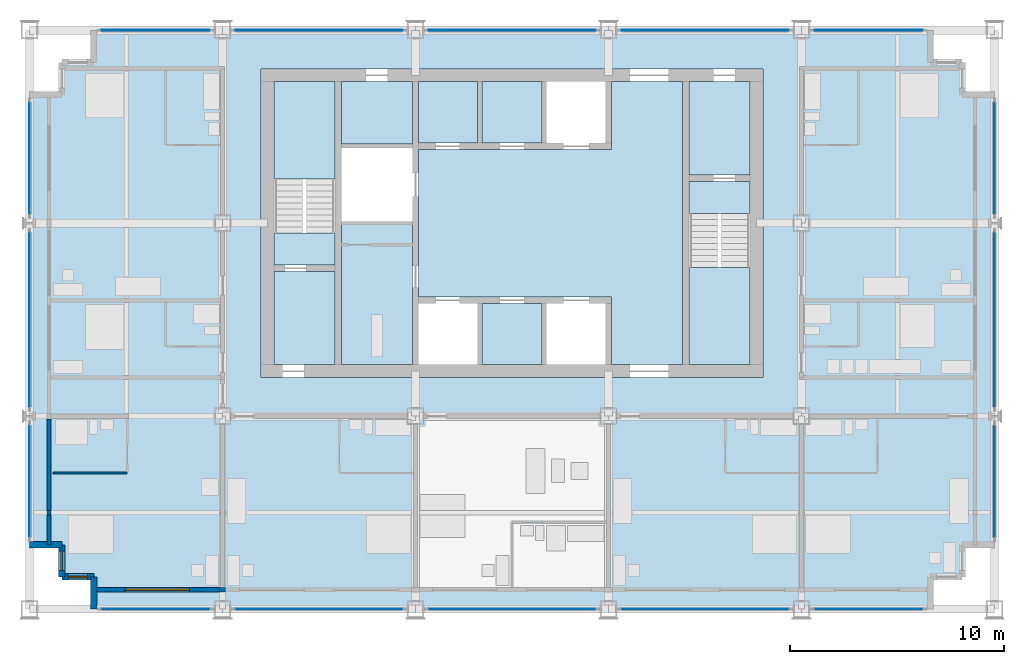
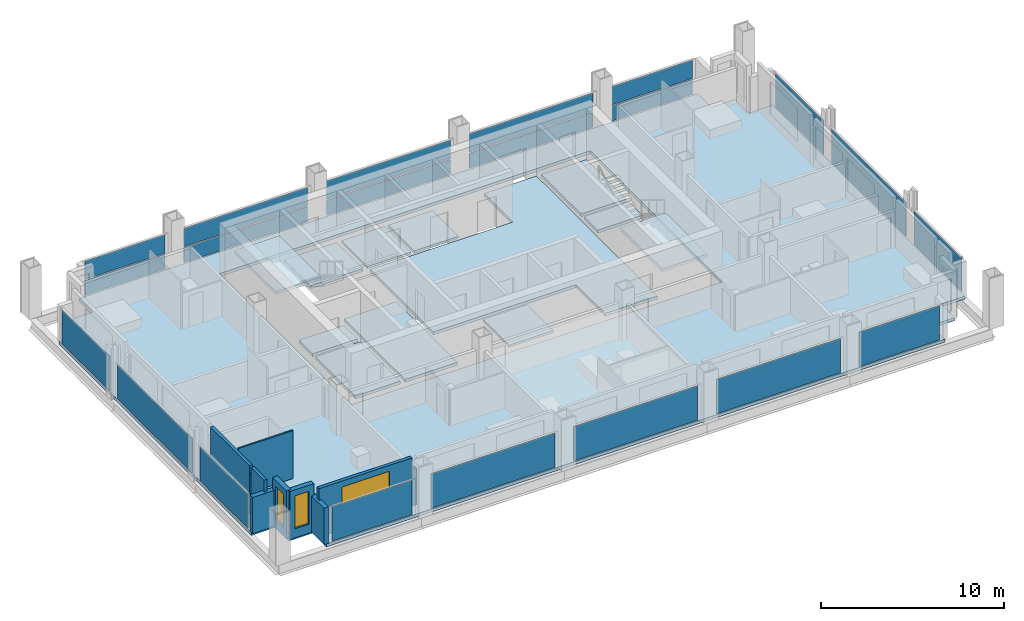
# One storey, part 6 of 13: 21 plates, 13 slabs, 10 walls, 3 windows, 3 openings, 18 elements without a shape of their own.
"""IFC4 building model written with IfcOpenShell, lengths in metres."""

from ifc_helpers import new_model, si_unit, direction, frame, frame_2d, origin, origin_2d, place, context, subcontext, project, spatial, polyline, rectangle, outline, extrude, material, layer, layer_set, type_object, element, fill, aggregate, save


model = new_model("IFC4")

# Units and contexts
model_context = context("Model", 3, precision=1e-05, world=origin(), true_north=direction((0.0, 1.0)))
body_context = subcontext(model_context, "Body", "Model", "MODEL_VIEW")
ifc_project = project(units=[si_unit("LENGTHUNIT", "METRE"), si_unit("AREAUNIT", "SQUARE_METRE"), si_unit("VOLUMEUNIT", "CUBIC_METRE"), si_unit("PLANEANGLEUNIT", "RADIAN"), si_unit("MASSUNIT", "GRAM", prefix="KILO")], contexts=[model_context])

# Site, building, storey
site_placement = place(None, origin())
site = spatial("IfcSite", under=ifc_project, at=site_placement, CompositionType="ELEMENT")
building_placement = place(site_placement, origin())
building = spatial("IfcBuilding", under=site, at=building_placement, Name="Loomwork Tower", CompositionType="ELEMENT")
storey_placement = place(building_placement, frame((0.0, 0.0, 180.800048828125)))
storey = spatial("IfcBuildingStorey", under=building, at=storey_placement, Name="L49", CompositionType="ELEMENT", Elevation=180.800048828125)

# Slabs
ifc_material_1 = material(Name="Concrete 5000 psi (34 MPa) on composite metal deck", Category="concrete")
ifc_layer_1 = layer(ifc_material_1, 0.199951171875)
ifc_layer_set_1 = layer_set([ifc_layer_1], Name="Floor slab 200")
slab_type_1 = type_object("IfcSlabType", Name="Floor slab 200", PredefinedType="FLOOR", material=ifc_layer_set_1)
slab_1_placement = place(storey_placement, frame((0.0, 0.0, -0.199951171875)))
element("IfcSlab", 1, at=slab_1_placement, inside=storey, type_object=slab_type_1, Name="Floor slab L49", PredefinedType="FLOOR", context=body_context, shape_type="SweptSolid", body=[
    extrude(outline(polyline([(3.0, 1.5), (1.5, 1.5), (1.5, 3.0), (0.0, 3.0), (0.0, 24.0), (1.5, 24.0), (1.5, 25.5), (3.0, 25.5), (3.0, 27.0), (42.0, 27.0), (42.0, 25.5), (43.5, 25.5), (43.5, 24.0), (45.0, 24.0), (45.0, 3.0), (43.5, 3.0), (43.5, 1.5), (42.0, 1.5), (42.0, 0.0), (3.0, 0.0), (3.0, 1.5)]), holes=[polyline([(10.800048828125, 11.39990234375), (10.800048828125, 11.39990234375), (10.800048828125, 10.800048828125), (34.199951171875, 10.800048828125), (34.199951171875, 11.39990234375), (34.199951171875, 11.39990234375), (34.199951171875, 24.60009765625), (34.199951171875, 25.199951171875), (10.800048828125, 25.199951171875), (10.800048828125, 24.60009765625), (10.800048828125, 11.39990234375)])]), origin(), (0.0, 0.0, 1.0), 0.199951171875),
])
slab_2_placement = place(storey_placement, frame((0.0, 0.0, -0.199951171875)))
element("IfcSlab", 2, at=slab_2_placement, inside=storey, type_object=slab_type_1, Name="Floor slab L49", PredefinedType="FLOOR", context=body_context, shape_type="SweptSolid", body=[
    extrude(outline(polyline([(30.449951171875, 24.60009765625), (30.449951171875, 11.39990234375), (27.14990234375, 11.39990234375), (27.14990234375, 14.25), (27.14990234375, 14.550048828125), (18.14990234375, 14.550048828125), (18.14990234375, 21.449951171875), (27.14990234375, 21.449951171875), (27.14990234375, 21.75), (27.14990234375, 24.60009765625), (30.449951171875, 24.60009765625)])), origin(), (0.0, 0.0, 1.0), 0.199951171875),
])
slab_3_placement = place(storey_placement, frame((0.0, 0.0, -0.199951171875)))
element("IfcSlab", 3, at=slab_3_placement, inside=storey, type_object=slab_type_1, Name="Floor slab L49", PredefinedType="FLOOR", context=body_context, shape_type="SweptSolid", body=[
    extrude(outline(polyline([(14.550048828125, 11.39990234375), (14.550048828125, 18.074951171875), (17.85009765625, 18.074951171875), (17.85009765625, 11.39990234375), (14.550048828125, 11.39990234375)])), origin(), (0.0, 0.0, 1.0), 0.199951171875),
])
slab_4_placement = place(storey_placement, frame((0.0, 0.0, -0.199951171875)))
element("IfcSlab", 4, at=slab_4_placement, inside=storey, type_object=slab_type_1, Name="Floor slab L49", PredefinedType="FLOOR", context=body_context, shape_type="SweptSolid", body=[
    extrude(outline(polyline([(33.60009765625, 20.25), (30.75, 20.25), (30.75, 24.60009765625), (33.60009765625, 24.60009765625), (33.60009765625, 20.25)])), origin(), (0.0, 0.0, 1.0), 0.199951171875),
])
slab_5_placement = place(storey_placement, frame((0.0, 0.0, -0.199951171875)))
element("IfcSlab", 5, at=slab_5_placement, inside=storey, type_object=slab_type_1, Name="Floor slab L49", PredefinedType="FLOOR", context=body_context, shape_type="SweptSolid", body=[
    extrude(outline(polyline([(14.25, 15.75), (14.25, 11.39990234375), (11.39990234375, 11.39990234375), (11.39990234375, 15.75), (14.25, 15.75)])), origin(), (0.0, 0.0, 1.0), 0.199951171875),
])
slab_6_placement = place(storey_placement, frame((0.0, 0.0, -0.199951171875)))
element("IfcSlab", 6, at=slab_6_placement, inside=storey, type_object=slab_type_1, Name="Floor slab L49", PredefinedType="FLOOR", context=body_context, shape_type="SweptSolid", body=[
    extrude(outline(polyline([(14.550048828125, 21.699951171875), (14.550048828125, 24.60009765625), (17.85009765625, 24.60009765625), (17.85009765625, 21.699951171875), (14.550048828125, 21.699951171875)])), origin(), (0.0, 0.0, 1.0), 0.199951171875),
])

# Curtain wall, plate
ifc_material_2 = material(Name="Aluminium curtain wall frame", Category="aluminium")
curtain_wall_type_1 = type_object("IfcCurtainWallType", Name="Outer skin glazing hotel", PredefinedType="NOTDEFINED", material=ifc_material_2)
curtain_wall_1_placement = place(storey_placement, origin())
curtain_wall_1 = element("IfcCurtainWall", 7, at=curtain_wall_1_placement, inside=storey, type_object=curtain_wall_type_1, Name="Outer skin glazing hotel cw/S-0", PredefinedType="NOTDEFINED")
ifc_material_3 = material(Name="Clear laminated glass", Category="glass")
ifc_layer_2 = layer(ifc_material_3, 0.02392578125)
ifc_layer_set_2 = layer_set([ifc_layer_2], Name="Outer skin glazing hotel panel")
plate_type_1 = type_object("IfcPlateType", Name="Outer skin glazing hotel panel", PredefinedType="CURTAIN_PANEL", material=ifc_layer_set_2)
plate_1_placement = place(storey_placement, frame((5.875, 0.0, 0.06494140625), z_axis=(0.0, 0.0, 1.0), x_axis=(1.0, 0.0, 0.0)))
plate_1 = element("IfcPlate", 8, at=plate_1_placement, type_object=plate_type_1, Name="CW1 panel 1.1", PredefinedType="CURTAIN_PANEL", context=body_context, shape_type="SweptSolid", body=[
    extrude(rectangle(XDim=5.050048828125, YDim=0.02392578125, at=origin_2d()), origin(), (0.0, 0.0, 1.0), 2.290283203125),
])
aggregate(curtain_wall_1, [plate_1])

curtain_wall_2_placement = place(storey_placement, origin())
curtain_wall_2 = element("IfcCurtainWall", 9, at=curtain_wall_2_placement, inside=storey, type_object=curtain_wall_type_1, Name="Outer skin glazing hotel cw/S-9", PredefinedType="NOTDEFINED")
plate_2_placement = place(storey_placement, frame((13.5, 0.0, 0.06494140625), z_axis=(0.0, 0.0, 1.0), x_axis=(1.0, 0.0, 0.0)))
plate_2 = element("IfcPlate", 10, at=plate_2_placement, type_object=plate_type_1, Name="CW1 panel 1.1", PredefinedType="CURTAIN_PANEL", context=body_context, shape_type="SweptSolid", body=[
    extrude(rectangle(XDim=7.800048828125, YDim=0.02392578125, at=origin_2d()), origin(), (0.0, 0.0, 1.0), 2.290283203125),
])
aggregate(curtain_wall_2, [plate_2])

curtain_wall_3_placement = place(storey_placement, origin())
curtain_wall_3 = element("IfcCurtainWall", 11, at=curtain_wall_3_placement, inside=storey, type_object=curtain_wall_type_1, Name="Outer skin glazing hotel cw/S-18", PredefinedType="NOTDEFINED")
plate_3_placement = place(storey_placement, frame((22.5, 0.0, 0.06494140625), z_axis=(0.0, 0.0, 1.0), x_axis=(1.0, 0.0, 0.0)))
plate_3 = element("IfcPlate", 12, at=plate_3_placement, type_object=plate_type_1, Name="CW1 panel 1.1", PredefinedType="CURTAIN_PANEL", context=body_context, shape_type="SweptSolid", body=[
    extrude(rectangle(XDim=7.800048828125, YDim=0.02392578125, at=origin_2d()), origin(), (0.0, 0.0, 1.0), 2.290283203125),
])
aggregate(curtain_wall_3, [plate_3])

curtain_wall_4_placement = place(storey_placement, origin())
curtain_wall_4 = element("IfcCurtainWall", 13, at=curtain_wall_4_placement, inside=storey, type_object=curtain_wall_type_1, Name="Outer skin glazing hotel cw/S-27", PredefinedType="NOTDEFINED")
plate_4_placement = place(storey_placement, frame((31.5, 0.0, 0.06494140625), z_axis=(0.0, 0.0, 1.0), x_axis=(1.0, 0.0, 0.0)))
plate_4 = element("IfcPlate", 14, at=plate_4_placement, type_object=plate_type_1, Name="CW1 panel 1.1", PredefinedType="CURTAIN_PANEL", context=body_context, shape_type="SweptSolid", body=[
    extrude(rectangle(XDim=7.800048828125, YDim=0.02392578125, at=origin_2d()), origin(), (0.0, 0.0, 1.0), 2.290283203125),
])
aggregate(curtain_wall_4, [plate_4])

curtain_wall_5_placement = place(storey_placement, origin())
curtain_wall_5 = element("IfcCurtainWall", 15, at=curtain_wall_5_placement, inside=storey, type_object=curtain_wall_type_1, Name="Outer skin glazing hotel cw/S-36", PredefinedType="NOTDEFINED")
plate_5_placement = place(storey_placement, frame((39.125, 0.0, 0.06494140625), z_axis=(0.0, 0.0, 1.0), x_axis=(1.0, 0.0, 0.0)))
plate_5 = element("IfcPlate", 16, at=plate_5_placement, type_object=plate_type_1, Name="CW1 panel 1.1", PredefinedType="CURTAIN_PANEL", context=body_context, shape_type="SweptSolid", body=[
    extrude(rectangle(XDim=5.050048828125, YDim=0.02392578125, at=origin_2d()), origin(), (0.0, 0.0, 1.0), 2.290283203125),
])
aggregate(curtain_wall_5, [plate_5])

curtain_wall_6_placement = place(storey_placement, origin())
curtain_wall_6 = element("IfcCurtainWall", 17, at=curtain_wall_6_placement, inside=storey, type_object=curtain_wall_type_1, Name="Outer skin glazing hotel cw/W-0", PredefinedType="NOTDEFINED")
plate_6_placement = place(storey_placement, frame((0.0, 5.962646484375, 0.06494140625), z_axis=(0.0, 0.0, 1.0), x_axis=(0.0, -1.0, 0.0)))
plate_6 = element("IfcPlate", 18, at=plate_6_placement, type_object=plate_type_1, Name="CW1 panel 1.1", PredefinedType="CURTAIN_PANEL", context=body_context, shape_type="SweptSolid", body=[
    extrude(rectangle(XDim=5.22509765625, YDim=0.02392578125, at=origin_2d()), origin(), (0.0, 0.0, 1.0), 2.290283203125),
])
aggregate(curtain_wall_6, [plate_6])

curtain_wall_7_placement = place(storey_placement, origin())
curtain_wall_7 = element("IfcCurtainWall", 19, at=curtain_wall_7_placement, inside=storey, type_object=curtain_wall_type_1, Name="Outer skin glazing hotel cw/W-9", PredefinedType="NOTDEFINED")
plate_7_placement = place(storey_placement, frame((0.0, 13.5, 0.06494140625), z_axis=(0.0, 0.0, 1.0), x_axis=(0.0, -1.0, 0.0)))
plate_7 = element("IfcPlate", 20, at=plate_7_placement, type_object=plate_type_1, Name="CW1 panel 1.1", PredefinedType="CURTAIN_PANEL", context=body_context, shape_type="SweptSolid", body=[
    extrude(rectangle(XDim=8.150390625, YDim=0.02392578125, at=origin_2d()), origin(), (0.0, 0.0, 1.0), 2.290283203125),
])
aggregate(curtain_wall_7, [plate_7])

curtain_wall_8_placement = place(storey_placement, origin())
curtain_wall_8 = element("IfcCurtainWall", 21, at=curtain_wall_8_placement, inside=storey, type_object=curtain_wall_type_1, Name="Outer skin glazing hotel cw/W-18", PredefinedType="NOTDEFINED")
plate_8_placement = place(storey_placement, frame((0.0, 21.037353515625, 0.06494140625), z_axis=(0.0, 0.0, 1.0), x_axis=(0.0, -1.0, 0.0)))
plate_8 = element("IfcPlate", 22, at=plate_8_placement, type_object=plate_type_1, Name="CW1 panel 1.1", PredefinedType="CURTAIN_PANEL", context=body_context, shape_type="SweptSolid", body=[
    extrude(rectangle(XDim=5.22509765625, YDim=0.02392578125, at=origin_2d()), origin(), (0.0, 0.0, 1.0), 2.290283203125),
])
aggregate(curtain_wall_8, [plate_8])

curtain_wall_9_placement = place(storey_placement, origin())
curtain_wall_9 = element("IfcCurtainWall", 23, at=curtain_wall_9_placement, inside=storey, type_object=curtain_wall_type_1, Name="Outer skin glazing hotel cw/E-0", PredefinedType="NOTDEFINED")
plate_9_placement = place(storey_placement, frame((45.0, 5.962646484375, 0.06494140625), z_axis=(0.0, 0.0, 1.0), x_axis=(0.0, 1.0, 0.0)))
plate_9 = element("IfcPlate", 24, at=plate_9_placement, type_object=plate_type_1, Name="CW1 panel 1.1", PredefinedType="CURTAIN_PANEL", context=body_context, shape_type="SweptSolid", body=[
    extrude(rectangle(XDim=5.22509765625, YDim=0.02392578125, at=origin_2d()), origin(), (0.0, 0.0, 1.0), 2.290283203125),
])
aggregate(curtain_wall_9, [plate_9])

curtain_wall_10_placement = place(storey_placement, origin())
curtain_wall_10 = element("IfcCurtainWall", 25, at=curtain_wall_10_placement, inside=storey, type_object=curtain_wall_type_1, Name="Outer skin glazing hotel cw/E-9", PredefinedType="NOTDEFINED")
plate_10_placement = place(storey_placement, frame((45.0, 13.5, 0.06494140625), z_axis=(0.0, 0.0, 1.0), x_axis=(0.0, 1.0, 0.0)))
plate_10 = element("IfcPlate", 26, at=plate_10_placement, type_object=plate_type_1, Name="CW1 panel 1.1", PredefinedType="CURTAIN_PANEL", context=body_context, shape_type="SweptSolid", body=[
    extrude(rectangle(XDim=8.150390625, YDim=0.02392578125, at=origin_2d()), origin(), (0.0, 0.0, 1.0), 2.290283203125),
])
aggregate(curtain_wall_10, [plate_10])

curtain_wall_11_placement = place(storey_placement, origin())
curtain_wall_11 = element("IfcCurtainWall", 27, at=curtain_wall_11_placement, inside=storey, type_object=curtain_wall_type_1, Name="Outer skin glazing hotel cw/E-18", PredefinedType="NOTDEFINED")
plate_11_placement = place(storey_placement, frame((45.0, 21.037353515625, 0.06494140625), z_axis=(0.0, 0.0, 1.0), x_axis=(0.0, 1.0, 0.0)))
plate_11 = element("IfcPlate", 28, at=plate_11_placement, type_object=plate_type_1, Name="CW1 panel 1.1", PredefinedType="CURTAIN_PANEL", context=body_context, shape_type="SweptSolid", body=[
    extrude(rectangle(XDim=5.22509765625, YDim=0.02392578125, at=origin_2d()), origin(), (0.0, 0.0, 1.0), 2.290283203125),
])
aggregate(curtain_wall_11, [plate_11])

# Slabs
ifc_material_4 = material(Name="Concrete 5000 psi (34 MPa) on composite metal deck", Category="concrete")
ifc_layer_3 = layer(ifc_material_4, 0.14990234375)
ifc_layer_set_3 = layer_set([ifc_layer_3], Name="Shaft infill floor 150")
slab_type_2 = type_object("IfcSlabType", Name="Shaft infill floor 150", PredefinedType="FLOOR", material=ifc_layer_set_3)
slab_7_placement = place(storey_placement, frame((0.0, 0.0, -0.150146484375)))
element("IfcSlab", 29, at=slab_7_placement, inside=storey, type_object=slab_type_2, Name="Shaft infill floor LS1 L49", PredefinedType="FLOOR", context=body_context, shape_type="SweptSolid", body=[
    extrude(outline(polyline([(18.14990234375, 21.75), (20.89990234375, 21.75), (20.89990234375, 24.60009765625), (18.14990234375, 24.60009765625), (18.14990234375, 21.75)])), origin(), (0.0, 0.0, 1.0), 0.150146484375),
])
slab_8_placement = place(storey_placement, frame((0.0, 0.0, -0.150146484375)))
element("IfcSlab", 30, at=slab_8_placement, inside=storey, type_object=slab_type_2, Name="Shaft infill floor LS2 L49", PredefinedType="FLOOR", context=body_context, shape_type="SweptSolid", body=[
    extrude(outline(polyline([(21.10009765625, 21.75), (23.89990234375, 21.75), (23.89990234375, 24.60009765625), (21.10009765625, 24.60009765625), (21.10009765625, 21.75)])), origin(), (0.0, 0.0, 1.0), 0.150146484375),
])
slab_9_placement = place(storey_placement, frame((0.0, 0.0, -0.150146484375)))
element("IfcSlab", 31, at=slab_9_placement, inside=storey, type_object=slab_type_2, Name="Shaft infill floor S2 L49", PredefinedType="FLOOR", context=body_context, shape_type="SweptSolid", body=[
    extrude(outline(polyline([(21.10009765625, 11.39990234375), (23.89990234375, 11.39990234375), (23.89990234375, 14.25), (21.10009765625, 14.25), (21.10009765625, 11.39990234375)])), origin(), (0.0, 0.0, 1.0), 0.150146484375),
])

# Curtain wall, plates
ifc_material_5 = material(Name="Aluminium curtain wall frame", Category="aluminium")
curtain_wall_type_2 = type_object("IfcCurtainWallType", Name="Single skin glazing corridor", PredefinedType="NOTDEFINED", material=ifc_material_5)
curtain_wall_12_placement = place(storey_placement, origin())
curtain_wall_12 = element("IfcCurtainWall", 32, at=curtain_wall_12_placement, inside=storey, type_object=curtain_wall_type_2, Name="Single skin glazing corridor cw/N-0", PredefinedType="NOTDEFINED")
ifc_material_6 = material(Name="Clear insulated glass", Category="glass")
ifc_layer_4 = layer(ifc_material_6, 0.031982421875)
ifc_layer_set_4 = layer_set([ifc_layer_4], Name="Single skin glazing corridor panel")
plate_type_2 = type_object("IfcPlateType", Name="Single skin glazing corridor panel", PredefinedType="CURTAIN_PANEL", material=ifc_layer_set_4)
plate_12_placement = place(storey_placement, frame((5.875, 27.0, 0.06494140625), z_axis=(0.0, 0.0, 1.0), x_axis=(-1.0, 0.0, 0.0)))
plate_12 = element("IfcPlate", 33, at=plate_12_placement, type_object=plate_type_2, Name="CW3 panel 1.1", PredefinedType="CURTAIN_PANEL", context=body_context, shape_type="SweptSolid", body=[
    extrude(rectangle(XDim=5.050048828125, YDim=0.031982421875, at=origin_2d()), origin(), (0.0, 0.0, 1.0), 1.00244140625),
])
plate_13_placement = place(storey_placement, frame((5.875, 27.0, 1.132568359375), z_axis=(0.0, 0.0, 1.0), x_axis=(-1.0, 0.0, 0.0)))
plate_13 = element("IfcPlate", 34, at=plate_13_placement, type_object=plate_type_2, Name="CW3 panel 1.2", PredefinedType="CURTAIN_PANEL", context=body_context, shape_type="SweptSolid", body=[
    extrude(rectangle(XDim=5.050048828125, YDim=0.031982421875, at=origin_2d()), origin(), (0.0, 0.0, 1.0), 1.22265625),
])
aggregate(curtain_wall_12, [plate_12, plate_13])

curtain_wall_13_placement = place(storey_placement, origin())
curtain_wall_13 = element("IfcCurtainWall", 35, at=curtain_wall_13_placement, inside=storey, type_object=curtain_wall_type_2, Name="Single skin glazing corridor cw/N-9", PredefinedType="NOTDEFINED")
plate_14_placement = place(storey_placement, frame((13.5, 27.0, 0.06494140625), z_axis=(0.0, 0.0, 1.0), x_axis=(-1.0, 0.0, 0.0)))
plate_14 = element("IfcPlate", 36, at=plate_14_placement, type_object=plate_type_2, Name="CW3 panel 1.1", PredefinedType="CURTAIN_PANEL", context=body_context, shape_type="SweptSolid", body=[
    extrude(rectangle(XDim=7.800048828125, YDim=0.031982421875, at=origin_2d()), origin(), (0.0, 0.0, 1.0), 1.00244140625),
])
plate_15_placement = place(storey_placement, frame((13.5, 27.0, 1.132568359375), z_axis=(0.0, 0.0, 1.0), x_axis=(-1.0, 0.0, 0.0)))
plate_15 = element("IfcPlate", 37, at=plate_15_placement, type_object=plate_type_2, Name="CW3 panel 1.2", PredefinedType="CURTAIN_PANEL", context=body_context, shape_type="SweptSolid", body=[
    extrude(rectangle(XDim=7.800048828125, YDim=0.031982421875, at=origin_2d()), origin(), (0.0, 0.0, 1.0), 1.22265625),
])
aggregate(curtain_wall_13, [plate_14, plate_15])

curtain_wall_14_placement = place(storey_placement, origin())
curtain_wall_14 = element("IfcCurtainWall", 38, at=curtain_wall_14_placement, inside=storey, type_object=curtain_wall_type_2, Name="Single skin glazing corridor cw/N-18", PredefinedType="NOTDEFINED")
plate_16_placement = place(storey_placement, frame((22.5, 27.0, 0.06494140625), z_axis=(0.0, 0.0, 1.0), x_axis=(-1.0, 0.0, 0.0)))
plate_16 = element("IfcPlate", 39, at=plate_16_placement, type_object=plate_type_2, Name="CW3 panel 1.1", PredefinedType="CURTAIN_PANEL", context=body_context, shape_type="SweptSolid", body=[
    extrude(rectangle(XDim=7.800048828125, YDim=0.031982421875, at=origin_2d()), origin(), (0.0, 0.0, 1.0), 1.00244140625),
])
plate_17_placement = place(storey_placement, frame((22.5, 27.0, 1.132568359375), z_axis=(0.0, 0.0, 1.0), x_axis=(-1.0, 0.0, 0.0)))
plate_17 = element("IfcPlate", 40, at=plate_17_placement, type_object=plate_type_2, Name="CW3 panel 1.2", PredefinedType="CURTAIN_PANEL", context=body_context, shape_type="SweptSolid", body=[
    extrude(rectangle(XDim=7.800048828125, YDim=0.031982421875, at=origin_2d()), origin(), (0.0, 0.0, 1.0), 1.22265625),
])
aggregate(curtain_wall_14, [plate_16, plate_17])

curtain_wall_15_placement = place(storey_placement, origin())
curtain_wall_15 = element("IfcCurtainWall", 41, at=curtain_wall_15_placement, inside=storey, type_object=curtain_wall_type_2, Name="Single skin glazing corridor cw/N-27", PredefinedType="NOTDEFINED")
plate_18_placement = place(storey_placement, frame((31.5, 27.0, 0.06494140625), z_axis=(0.0, 0.0, 1.0), x_axis=(-1.0, 0.0, 0.0)))
plate_18 = element("IfcPlate", 42, at=plate_18_placement, type_object=plate_type_2, Name="CW3 panel 1.1", PredefinedType="CURTAIN_PANEL", context=body_context, shape_type="SweptSolid", body=[
    extrude(rectangle(XDim=7.800048828125, YDim=0.031982421875, at=origin_2d()), origin(), (0.0, 0.0, 1.0), 1.00244140625),
])
plate_19_placement = place(storey_placement, frame((31.5, 27.0, 1.132568359375), z_axis=(0.0, 0.0, 1.0), x_axis=(-1.0, 0.0, 0.0)))
plate_19 = element("IfcPlate", 43, at=plate_19_placement, type_object=plate_type_2, Name="CW3 panel 1.2", PredefinedType="CURTAIN_PANEL", context=body_context, shape_type="SweptSolid", body=[
    extrude(rectangle(XDim=7.800048828125, YDim=0.031982421875, at=origin_2d()), origin(), (0.0, 0.0, 1.0), 1.22265625),
])
aggregate(curtain_wall_15, [plate_18, plate_19])

curtain_wall_16_placement = place(storey_placement, origin())
curtain_wall_16 = element("IfcCurtainWall", 44, at=curtain_wall_16_placement, inside=storey, type_object=curtain_wall_type_2, Name="Single skin glazing corridor cw/N-36", PredefinedType="NOTDEFINED")
plate_20_placement = place(storey_placement, frame((39.125, 27.0, 0.06494140625), z_axis=(0.0, 0.0, 1.0), x_axis=(-1.0, 0.0, 0.0)))
plate_20 = element("IfcPlate", 45, at=plate_20_placement, type_object=plate_type_2, Name="CW3 panel 1.1", PredefinedType="CURTAIN_PANEL", context=body_context, shape_type="SweptSolid", body=[
    extrude(rectangle(XDim=5.050048828125, YDim=0.031982421875, at=origin_2d()), origin(), (0.0, 0.0, 1.0), 1.00244140625),
])
plate_21_placement = place(storey_placement, frame((39.125, 27.0, 1.132568359375), z_axis=(0.0, 0.0, 1.0), x_axis=(-1.0, 0.0, 0.0)))
plate_21 = element("IfcPlate", 46, at=plate_21_placement, type_object=plate_type_2, Name="CW3 panel 1.2", PredefinedType="CURTAIN_PANEL", context=body_context, shape_type="SweptSolid", body=[
    extrude(rectangle(XDim=5.050048828125, YDim=0.031982421875, at=origin_2d()), origin(), (0.0, 0.0, 1.0), 1.22265625),
])
aggregate(curtain_wall_16, [plate_20, plate_21])

# Stair, slabs
ifc_material_7 = material(Name="Concrete 5000 psi (34 MPa) precast stair", Category="concrete")
stair_type_1 = type_object("IfcStairType", Name="Stair ST-A 20 risers 2850 wide", PredefinedType="HALF_TURN_STAIR", material=ifc_material_7)
stair_1_placement = place(storey_placement, origin())
stair_1 = element("IfcStair", 47, at=stair_1_placement, inside=storey, type_object=stair_type_1, Name="Stair A L49", PredefinedType="HALF_TURN_STAIR")
ifc_material_8 = material(Name="Concrete 5000 psi (34 MPa)", Category="concrete")
ifc_layer_5 = layer(ifc_material_8, 0.199951171875)
ifc_layer_set_5 = layer_set([ifc_layer_5], Name="Stair landing 200")
slab_type_3 = type_object("IfcSlabType", Name="Stair landing 200", PredefinedType="LANDING", material=ifc_layer_set_5)
slab_10_placement = place(storey_placement, frame((0.0, 0.0, -0.199951171875)))
slab_10 = element("IfcSlab", 48, at=slab_10_placement, type_object=slab_type_3, Name="ST-A landing 1", PredefinedType="LANDING", context=body_context, shape_type="SweptSolid", body=[
    extrude(outline(polyline([(11.39990234375, 16.050048828125), (14.25, 16.050048828125), (14.25, 17.550048828125), (11.39990234375, 17.550048828125), (11.39990234375, 16.050048828125)])), origin(), (0.0, 0.0, 1.0), 0.199951171875),
])
slab_11_placement = place(storey_placement, frame((0.0, 0.0, 1.5)))
slab_11 = element("IfcSlab", 49, at=slab_11_placement, type_object=slab_type_3, Name="ST-A landing 2", PredefinedType="LANDING", context=body_context, shape_type="SweptSolid", body=[
    extrude(outline(polyline([(11.39990234375, 20.070068359375), (14.25, 20.070068359375), (14.25, 24.60009765625), (11.39990234375, 24.60009765625), (11.39990234375, 20.070068359375)])), origin(), (0.0, 0.0, 1.0), 0.199951171875),
])
aggregate(stair_1, [slab_10, slab_11])

ifc_material_9 = material(Name="Concrete 5000 psi (34 MPa) precast stair", Category="concrete")
stair_type_2 = type_object("IfcStairType", Name="Stair ST-B 20 risers 2850 wide", PredefinedType="HALF_TURN_STAIR", material=ifc_material_9)
stair_2_placement = place(storey_placement, origin())
stair_2 = element("IfcStair", 50, at=stair_2_placement, inside=storey, type_object=stair_type_2, Name="Stair B L49", PredefinedType="HALF_TURN_STAIR")
slab_12_placement = place(storey_placement, frame((0.0, 0.0, -0.199951171875)))
slab_12 = element("IfcSlab", 51, at=slab_12_placement, type_object=slab_type_3, Name="ST-B landing 1", PredefinedType="LANDING", context=body_context, shape_type="SweptSolid", body=[
    extrude(outline(polyline([(30.75, 18.449951171875), (33.60009765625, 18.449951171875), (33.60009765625, 19.949951171875), (30.75, 19.949951171875), (30.75, 18.449951171875)])), origin(), (0.0, 0.0, 1.0), 0.199951171875),
])
slab_13_placement = place(storey_placement, frame((0.0, 0.0, 1.5)))
slab_13 = element("IfcSlab", 52, at=slab_13_placement, type_object=slab_type_3, Name="ST-B landing 2", PredefinedType="LANDING", context=body_context, shape_type="SweptSolid", body=[
    extrude(outline(polyline([(30.75, 11.39990234375), (33.60009765625, 11.39990234375), (33.60009765625, 15.929931640625), (30.75, 15.929931640625), (30.75, 11.39990234375)])), origin(), (0.0, 0.0, 1.0), 0.199951171875),
])
aggregate(stair_2, [slab_12, slab_13])

# Wall
ifc_material_10 = material(Name="Cement board on steel studs", Category="steel")
ifc_layer_6 = layer(ifc_material_10, 0.10009765625)
ifc_layer_set_6 = layer_set([ifc_layer_6], Name="En-suite partition 100")
wall_type_1 = type_object("IfcWallType", Name="En-suite partition 100", PredefinedType="PARTITIONING", material=ifc_layer_set_6)
wall_1_placement = place(storey_placement, frame((1.10009765625, 6.35009765625, 0.0), z_axis=(0.0, 0.0, 1.0), x_axis=(1.0, 0.0, 0.0)))
element("IfcWall", 53, at=wall_1_placement, inside=storey, type_object=wall_type_1, Name="En-suite wall L49 room 1", PredefinedType="PARTITIONING", context=body_context, shape_type="SweptSolid", body=[
    extrude(rectangle(XDim=3.449951171875, YDim=0.10009765625, at=frame_2d((1.72509765625, 0.0))), origin(), (0.0, 0.0, 1.0), 3.199951171875),
])

# Wall, opening, window
ifc_material_11 = material(Name="Insulated steel stud wall with gypsum lining", Category="steel")
ifc_layer_7 = layer(ifc_material_11, 0.199951171875)
ifc_layer_set_7 = layer_set([ifc_layer_7], Name="Inner skin wall 200")
wall_type_2 = type_object("IfcWallType", Name="Inner skin wall 200", PredefinedType="SOLIDWALL", material=ifc_layer_set_7)
wall_2_placement = place(storey_placement, frame((3.0, 0.89990234375, 0.0), z_axis=(0.0, 0.0, 1.0), x_axis=(1.0, 0.0, 0.0)))
wall_2 = element("IfcWall", 54, at=wall_2_placement, inside=storey, type_object=wall_type_2, Name="Inner skin wall S", PredefinedType="SOLIDWALL", context=body_context, shape_type="SweptSolid", body=[
    extrude(rectangle(XDim=5.86474609375, YDim=0.199951171875, at=frame_2d((2.932373046875, 0.0))), origin(), (0.0, 0.0, 1.0), 3.199951171875),
])
opening_1_placement = place(wall_2_placement, frame((1.449951171875, 0.0, 0.60009765625)))
opening_1 = element("IfcOpeningElement", 55, at=opening_1_placement, cuts=wall_2, Name="Opening CH1", PredefinedType="OPENING", context=body_context, shape_type="SweptSolid", body=[
    extrude(rectangle(XDim=3.0, YDim=2.199951171875, at=frame_2d((1.5, 1.10009765625))), frame((0.0, 0.10986328125, 0.0), z_axis=(0.0, -1.0, 0.0), x_axis=(1.0, 0.0, 0.0)), (0.0, 0.0, 1.0), 0.219970703125),
])
ifc_material_12 = material(Name="Aluminium frame with clear insulated glass", Category="aluminium")
window_type_1 = type_object("IfcWindowType", Name="Chicago window 3000", PartitioningType="TRIPLE_PANEL_VERTICAL", PredefinedType="WINDOW", material=ifc_material_12)
window_1_placement = place(opening_1_placement, origin())
window_1 = element("IfcWindow", 56, at=window_1_placement, inside=storey, type_object=window_type_1, Name="Chicago window L49 bay 1", OverallHeight=2.199951171875, OverallWidth=3.0, PartitioningType="TRIPLE_PANEL_VERTICAL", PredefinedType="WINDOW", context=body_context, shape_type="SweptSolid", body=[
    extrude(rectangle(XDim=3.0, YDim=2.199951171875, at=frame_2d((1.5, 1.10009765625))), frame((0.0, 0.030029296875, 0.0), z_axis=(0.0, -1.0, 0.0), x_axis=(1.0, 0.0, 0.0)), (0.0, 0.0, 1.0), 0.06005859375),
])
fill(opening_1, window_1)

# Walls
wall_3_placement = place(storey_placement, frame((0.89990234375, 3.0, 0.0), z_axis=(0.0, 0.0, 1.0), x_axis=(0.0, 1.0, 0.0)))
element("IfcWall", 57, at=wall_3_placement, inside=storey, type_object=wall_type_2, Name="Inner skin wall W", PredefinedType="SOLIDWALL", context=body_context, shape_type="SweptSolid", body=[
    extrude(rectangle(XDim=1.392578125, YDim=0.199951171875, at=frame_2d((0.6962890625, 0.0))), origin(), (0.0, 0.0, 1.0), 3.199951171875),
])
wall_4_placement = place(storey_placement, frame((8.86474609375, 0.89990234375, 0.0), z_axis=(0.0, 0.0, 1.0), x_axis=(1.0, 0.0, 0.0)))
element("IfcWall", 58, at=wall_4_placement, inside=storey, type_object=wall_type_2, Name="Inner skin wall S bay 2", PredefinedType="SOLIDWALL", context=body_context, shape_type="SweptSolid", body=[
    extrude(rectangle(XDim=0.2705078125, YDim=0.199951171875, at=frame_2d((0.13525390625, 0.0))), origin(), (0.0, 0.0, 1.0), 2.43798828125),
])
wall_5_placement = place(storey_placement, frame((0.89990234375, 4.392578125, 0.0), z_axis=(0.0, 0.0, 1.0), x_axis=(0.0, 1.0, 0.0)))
element("IfcWall", 59, at=wall_5_placement, inside=storey, type_object=wall_type_2, Name="Inner skin wall W bay 2", PredefinedType="SOLIDWALL", context=body_context, shape_type="SweptSolid", body=[
    extrude(rectangle(XDim=0.21484375, YDim=0.199951171875, at=frame_2d((0.107421875, 0.0))), origin(), (0.0, 0.0, 1.0), 2.660888671875),
])
wall_6_placement = place(storey_placement, frame((0.89990234375, 4.607421875, 0.0), z_axis=(0.0, 0.0, 1.0), x_axis=(0.0, 1.0, 0.0)))
element("IfcWall", 60, at=wall_6_placement, inside=storey, type_object=wall_type_2, Name="Inner skin wall W bay 3", PredefinedType="SOLIDWALL", context=body_context, shape_type="SweptSolid", body=[
    extrude(rectangle(XDim=4.25732421875, YDim=0.199951171875, at=frame_2d((2.128662109375, 0.0))), origin(), (0.0, 0.0, 1.0), 3.199951171875),
])
ifc_material_13 = material(Name="Limestone on concrete masonry", Category="masonry")
ifc_layer_8 = layer(ifc_material_13, 0.300048828125)
ifc_layer_set_8 = layer_set([ifc_layer_8], Name="Limestone corner wall 300")
wall_type_3 = type_object("IfcWallType", Name="Limestone corner wall 300", PredefinedType="SOLIDWALL", material=ifc_layer_set_8)
wall_7_placement = place(storey_placement, frame((0.0, 3.0, 0.0), z_axis=(0.0, 0.0, 1.0), x_axis=(1.0, 0.0, 0.0)))
element("IfcWall", 61, at=wall_7_placement, inside=storey, type_object=wall_type_3, Name="Stone corner wall SW 1", PredefinedType="SOLIDWALL", context=body_context, shape_type="SweptSolid", body=[
    extrude(rectangle(XDim=1.5, YDim=0.300048828125, at=frame_2d((0.75, 0.0))), origin(), (0.0, 0.0, 1.0), 2.419921875),
])

# Wall, opening, window
wall_8_placement = place(storey_placement, frame((1.5, 3.0, 0.0), z_axis=(0.0, 0.0, 1.0), x_axis=(0.0, -1.0, 0.0)))
wall_8 = element("IfcWall", 62, at=wall_8_placement, inside=storey, type_object=wall_type_3, Name="Stone corner wall SW 2", PredefinedType="SOLIDWALL", context=body_context, shape_type="SweptSolid", body=[
    extrude(rectangle(XDim=1.5, YDim=0.300048828125, at=frame_2d((0.75, 0.0))), origin(), (0.0, 0.0, 1.0), 3.199951171875),
])
opening_2_placement = place(wall_8_placement, frame((0.300048828125, 0.0, 0.60009765625)))
opening_2 = element("IfcOpeningElement", 63, at=opening_2_placement, cuts=wall_8, Name="Opening CH2", PredefinedType="OPENING", context=body_context, shape_type="SweptSolid", body=[
    extrude(rectangle(XDim=0.89990234375, YDim=2.199951171875, at=frame_2d((0.449951171875, 1.10009765625))), frame((0.0, 0.159912109375, 0.0), z_axis=(0.0, -1.0, 0.0), x_axis=(1.0, 0.0, 0.0)), (0.0, 0.0, 1.0), 0.320068359375),
])
ifc_material_14 = material(Name="Aluminium frame with clear insulated glass", Category="aluminium")
window_type_2 = type_object("IfcWindowType", Name="Corner window 900", PartitioningType="SINGLE_PANEL", PredefinedType="WINDOW", material=ifc_material_14)
window_2_placement = place(opening_2_placement, origin())
window_2 = element("IfcWindow", 64, at=window_2_placement, inside=storey, type_object=window_type_2, Name="Corner window SW", OverallHeight=2.199951171875, OverallWidth=0.89990234375, PartitioningType="SINGLE_PANEL", PredefinedType="WINDOW", context=body_context, shape_type="SweptSolid", body=[
    extrude(rectangle(XDim=0.89990234375, YDim=2.199951171875, at=frame_2d((0.449951171875, 1.10009765625))), frame((0.0, 0.030029296875, 0.0), z_axis=(0.0, -1.0, 0.0), x_axis=(1.0, 0.0, 0.0)), (0.0, 0.0, 1.0), 0.06005859375),
])
fill(opening_2, window_2)

wall_9_placement = place(storey_placement, frame((1.5, 1.5, 0.0), z_axis=(0.0, 0.0, 1.0), x_axis=(1.0, 0.0, 0.0)))
wall_9 = element("IfcWall", 65, at=wall_9_placement, inside=storey, type_object=wall_type_3, Name="Stone corner wall SW 3", PredefinedType="SOLIDWALL", context=body_context, shape_type="SweptSolid", body=[
    extrude(rectangle(XDim=1.5, YDim=0.300048828125, at=frame_2d((0.75, 0.0))), origin(), (0.0, 0.0, 1.0), 3.199951171875),
])
opening_3_placement = place(wall_9_placement, frame((0.300048828125, 0.0, 0.60009765625)))
opening_3 = element("IfcOpeningElement", 66, at=opening_3_placement, cuts=wall_9, Name="Opening CH2", PredefinedType="OPENING", context=body_context, shape_type="SweptSolid", body=[
    extrude(rectangle(XDim=0.89990234375, YDim=2.199951171875, at=frame_2d((0.449951171875, 1.10009765625))), frame((0.0, 0.159912109375, 0.0), z_axis=(0.0, -1.0, 0.0), x_axis=(1.0, 0.0, 0.0)), (0.0, 0.0, 1.0), 0.320068359375),
])
window_3_placement = place(opening_3_placement, origin())
window_3 = element("IfcWindow", 67, at=window_3_placement, inside=storey, type_object=window_type_2, Name="Corner window SW", OverallHeight=2.199951171875, OverallWidth=0.89990234375, PartitioningType="SINGLE_PANEL", PredefinedType="WINDOW", context=body_context, shape_type="SweptSolid", body=[
    extrude(rectangle(XDim=0.89990234375, YDim=2.199951171875, at=frame_2d((0.449951171875, 1.10009765625))), frame((0.0, 0.030029296875, 0.0), z_axis=(0.0, -1.0, 0.0), x_axis=(1.0, 0.0, 0.0)), (0.0, 0.0, 1.0), 0.06005859375),
])
fill(opening_3, window_3)

# Wall
wall_10_placement = place(storey_placement, frame((3.0, 1.5, 0.0), z_axis=(0.0, 0.0, 1.0), x_axis=(0.0, -1.0, 0.0)))
element("IfcWall", 68, at=wall_10_placement, inside=storey, type_object=wall_type_3, Name="Stone corner wall SW 4", PredefinedType="SOLIDWALL", context=body_context, shape_type="SweptSolid", body=[
    extrude(rectangle(XDim=1.5, YDim=0.300048828125, at=frame_2d((0.75, 0.0))), origin(), (0.0, 0.0, 1.0), 2.419921875),
])

save(model, "model.ifc")
